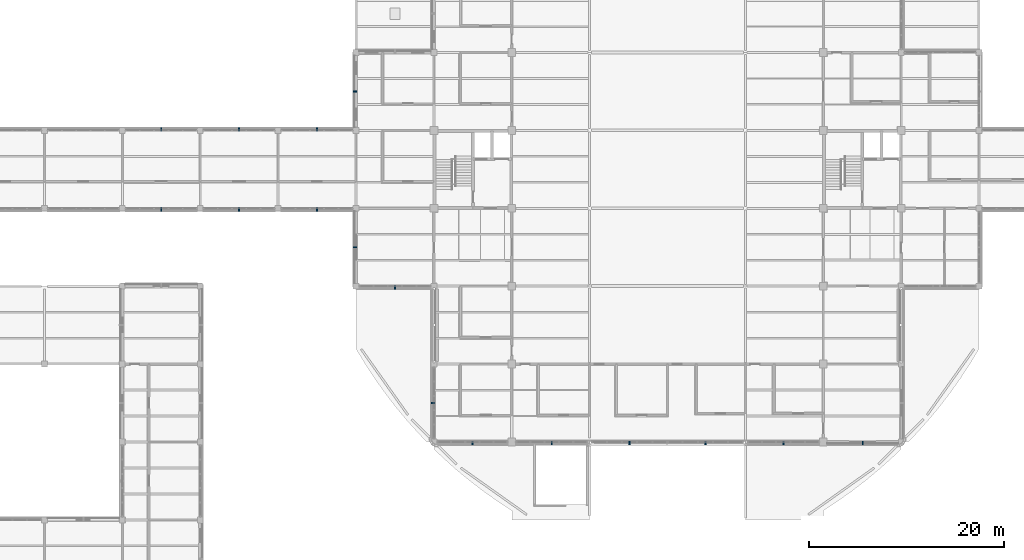
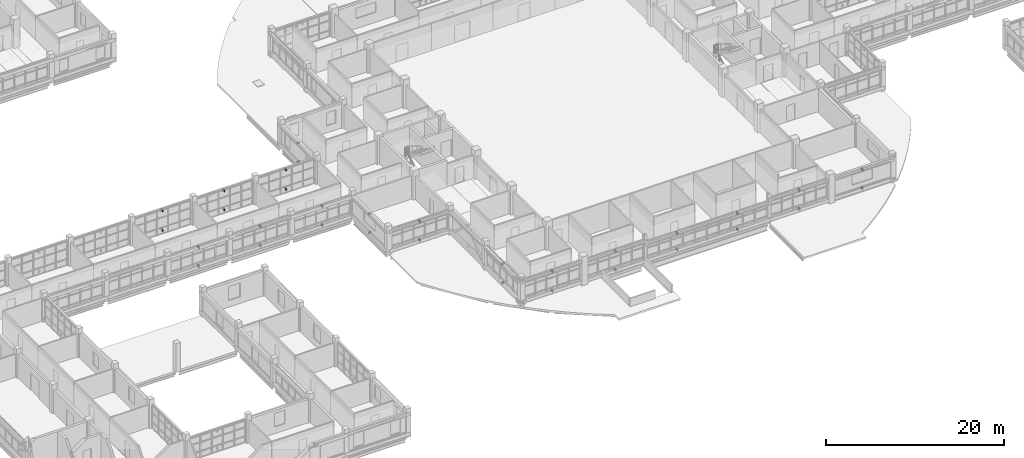
# One storey, part 107 of 126: 32 discrete accessories.
"""IFC4 building model written with IfcOpenShell, lengths in metres."""

from ifc_helpers import new_model, si_unit, derived_unit, direction, frame, origin, origin_2d, place, context, subcontext, project, spatial, rectangle, extrude, material, type_object, element, save


model = new_model("IFC4")

# Units and contexts
model_context = context("Model", 3, precision=1e-05, world=origin(), true_north=direction((0.0, 1.0)))
body_context = subcontext(model_context, "Body", "Model", "MODEL_VIEW")
ifc_project = project(units=[si_unit("LENGTHUNIT", "METRE"), si_unit("AREAUNIT", "SQUARE_METRE"), si_unit("VOLUMEUNIT", "CUBIC_METRE"), si_unit("PLANEANGLEUNIT", "RADIAN"), si_unit("MASSUNIT", "GRAM", prefix="KILO"), derived_unit("THERMALTRANSMITTANCEUNIT", [(si_unit("MASSUNIT", "GRAM", prefix="KILO"), 1), (si_unit("TIMEUNIT", "SECOND"), -3), (si_unit("THERMODYNAMICTEMPERATUREUNIT", "KELVIN"), -1)])], contexts=[model_context])

# Site, building, storey
site_placement = place(None, origin())
site = spatial("IfcSite", under=ifc_project, at=site_placement, CompositionType="ELEMENT")
building_placement = place(site_placement, origin())
building = spatial("IfcBuilding", under=site, at=building_placement, Name="Veyamyaing Civic Hall", CompositionType="ELEMENT")
storey_placement = place(building_placement, frame((0.0, 0.0, 9.89990234375)))
storey = spatial("IfcBuildingStorey", under=building, at=storey_placement, Name="L02", CompositionType="ELEMENT", Elevation=9.89990234375)

# Discrete accessories
ifc_material = material(Name="Steel S355J2", Category="steel")
discrete_accessory_type = type_object("IfcDiscreteAccessoryType", Name="BK-01", PredefinedType="BRACKET", material=ifc_material)
for number, where, z_axis, x_axis, name in (
    (1, (36.0, 47.89990234375, 2.93994140625), (0.0, 0.0, 1.0), (0.0, -1.0, 0.0), "Sunshade anchor bracket BK-01 L02 S 5.7"),
    (2, (36.0, 47.89990234375, 0.35986328125), (0.0, 0.0, 1.0), (0.0, -1.0, 0.0), "Lower ribbon anchor bracket BK-01 L02 S 5.7"),
    (3, (36.0, 56.10009765625, 3.00390625), (0.0, 0.0, 1.0), (0.0, 1.0, 0.0), "Sunshade anchor bracket BK-01 L02 N 5.7"),
    (4, (36.0, 56.10009765625, 0.35986328125), (0.0, 0.0, 1.0), (0.0, 1.0, 0.0), "Lower ribbon anchor bracket BK-01 L02 N 5.7"),
    (5, (44.0, 47.89990234375, 3.00390625), (0.0, 0.0, 1.0), (0.0, -1.0, 0.0), "Sunshade anchor bracket BK-01 L02 S 6.7"),
    (6, (44.0, 47.89990234375, 0.35986328125), (0.0, 0.0, 1.0), (0.0, -1.0, 0.0), "Lower ribbon anchor bracket BK-01 L02 S 6.7"),
    (7, (44.0, 56.10009765625, 2.9443359375), (0.0, 0.0, 1.0), (0.0, 1.0, 0.0), "Sunshade anchor bracket BK-01 L02 N 6.7"),
    (8, (44.0, 56.10009765625, 0.35986328125), (0.0, 0.0, 1.0), (0.0, 1.0, 0.0), "Lower ribbon anchor bracket BK-01 L02 N 6.7"),
    (9, (52.0, 47.89990234375, 2.9443359375), (0.0, 0.0, 1.0), (0.0, -1.0, 0.0), "Sunshade anchor bracket BK-01 L02 S 7.7"),
    (10, (52.0, 47.89990234375, 0.35986328125), (0.0, 0.0, 1.0), (0.0, -1.0, 0.0), "Lower ribbon anchor bracket BK-01 L02 S 7.7"),
    (11, (52.0, 56.10009765625, 3.00732421875), (0.0, 0.0, 1.0), (0.0, 1.0, 0.0), "Sunshade anchor bracket BK-01 L02 N 7.7"),
    (12, (52.0, 56.10009765625, 0.35986328125), (0.0, 0.0, 1.0), (0.0, 1.0, 0.0), "Lower ribbon anchor bracket BK-01 L02 N 7.7"),
    (13, (60.0, 39.89990234375, 2.9443359375), (0.0, 0.0, 1.0), (0.0, -1.0, 0.0), "Sunshade anchor bracket BK-01 L02 S 8.6"),
    (14, (60.0, 39.89990234375, 0.35986328125), (0.0, 0.0, 1.0), (0.0, -1.0, 0.0), "Lower ribbon anchor bracket BK-01 L02 S 8.6"),
    (15, (55.89990234375, 44.0, 2.9443359375), (0.0, 0.0, 1.0), (-1.0, 0.0, 0.0), "Sunshade anchor bracket BK-01 L02 W 8.6"),
    (16, (55.89990234375, 44.0, 0.35986328125), (0.0, 0.0, 1.0), (-1.0, 0.0, 0.0), "Lower ribbon anchor bracket BK-01 L02 W 8.6"),
    (17, (55.89990234375, 60.0, 2.93994140625), (0.0, 0.0, 1.0), (-1.0, 0.0, 0.0), "Sunshade anchor bracket BK-01 L02 W 8.8"),
    (18, (55.89990234375, 60.0, 0.35986328125), (0.0, 0.0, 1.0), (-1.0, 0.0, 0.0), "Lower ribbon anchor bracket BK-01 L02 W 8.8"),
    (19, (67.949951171875, 23.89990234375, 3.00390625), (0.0, 0.0, 1.0), (0.0, -1.0, 0.0), "Sunshade anchor bracket BK-01 L02 S 9.4"),
    (20, (67.949951171875, 23.89990234375, 0.35986328125), (0.0, 0.0, 1.0), (0.0, -1.0, 0.0), "Lower ribbon anchor bracket BK-01 L02 S 9.4"),
    (21, (63.89990234375, 28.0, 3.00390625), (0.0, 0.0, 1.0), (-1.0, 0.0, 0.0), "Sunshade anchor bracket BK-01 L02 W 9.4"),
    (22, (63.89990234375, 28.0, 0.35986328125), (0.0, 0.0, 1.0), (-1.0, 0.0, 0.0), "Lower ribbon anchor bracket BK-01 L02 W 9.4"),
    (23, (76.107177734375, 23.89990234375, 2.9443359375), (0.0, 0.0, 1.0), (0.0, -1.0, 0.0), "Sunshade anchor bracket BK-01 L02 S 10.4"),
    (24, (76.107177734375, 23.89990234375, 0.35986328125), (0.0, 0.0, 1.0), (0.0, -1.0, 0.0), "Lower ribbon anchor bracket BK-01 L02 S 10.4"),
    (25, (84.085205078125, 23.89990234375, 2.59912109375), (0.0, 0.0, 1.0), (0.0, -1.0, 0.0), "Sunshade anchor bracket BK-01 L02 S 11.4"),
    (26, (84.085205078125, 23.89990234375, 0.35986328125), (0.0, 0.0, 1.0), (0.0, -1.0, 0.0), "Lower ribbon anchor bracket BK-01 L02 S 11.4"),
    (27, (91.914794921875, 23.89990234375, 2.59912109375), (0.0, 0.0, 1.0), (0.0, -1.0, 0.0), "Sunshade anchor bracket BK-01 L02 S 12.4"),
    (28, (91.914794921875, 23.89990234375, 0.35986328125), (0.0, 0.0, 1.0), (0.0, -1.0, 0.0), "Lower ribbon anchor bracket BK-01 L02 S 12.4"),
    (29, (99.892822265625, 23.89990234375, 3.00390625), (0.0, 0.0, 1.0), (0.0, -1.0, 0.0), "Sunshade anchor bracket BK-01 L02 S 13.4"),
    (30, (99.892822265625, 23.89990234375, 0.35986328125), (0.0, 0.0, 1.0), (0.0, -1.0, 0.0), "Lower ribbon anchor bracket BK-01 L02 S 13.4"),
    (31, (108.050048828125, 23.89990234375, 2.9443359375), (0.0, 0.0, 1.0), (0.0, -1.0, 0.0), "Sunshade anchor bracket BK-01 L02 S 14.4"),
    (32, (108.050048828125, 23.89990234375, 0.35986328125), (0.0, 0.0, 1.0), (0.0, -1.0, 0.0), "Lower ribbon anchor bracket BK-01 L02 S 14.4"),
):
    element("IfcDiscreteAccessory", number, at=place(storey_placement, frame(where, z_axis=z_axis, x_axis=x_axis)), inside=storey, type_object=discrete_accessory_type, Name=name, PredefinedType="BRACKET", context=body_context, shape_type="SweptSolid", body=[
        extrude(rectangle(XDim=0.3798828125, YDim=0.139892578125, at=origin_2d()), origin(), (0.0, 0.0, 1.0), 0.239990234375),
    ])

save(model, "model.ifc")
